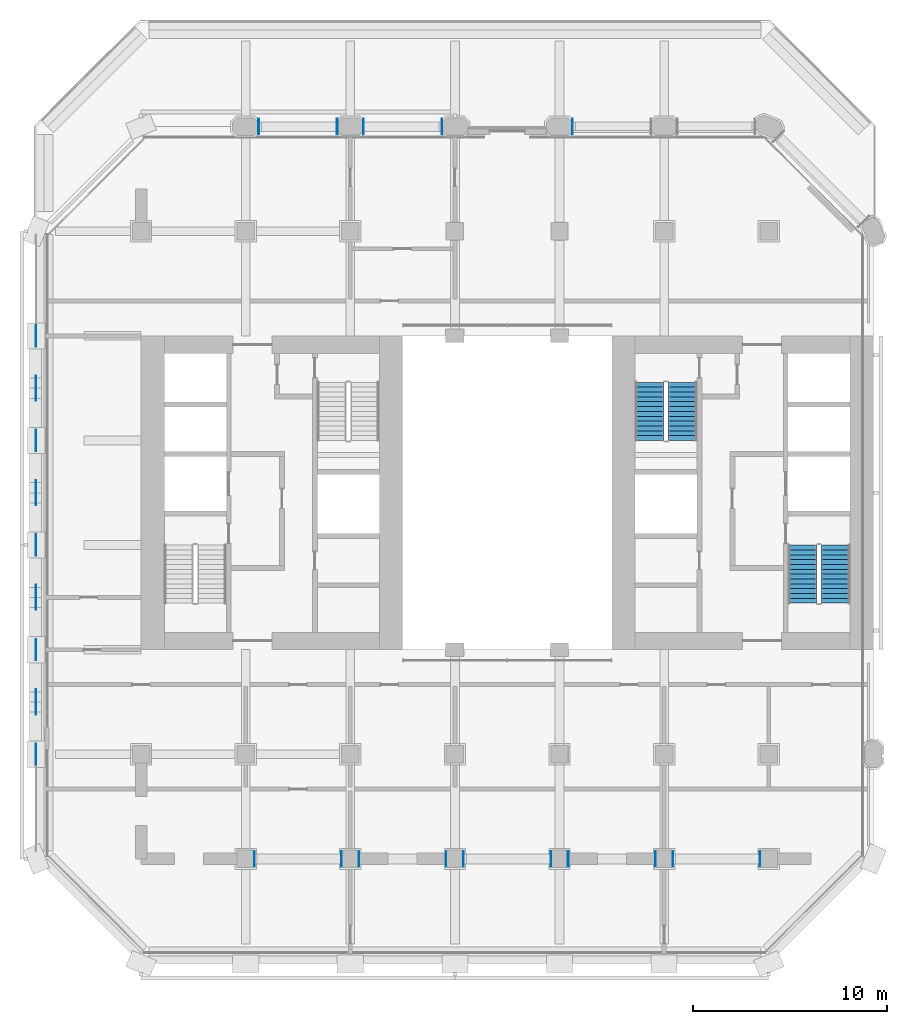
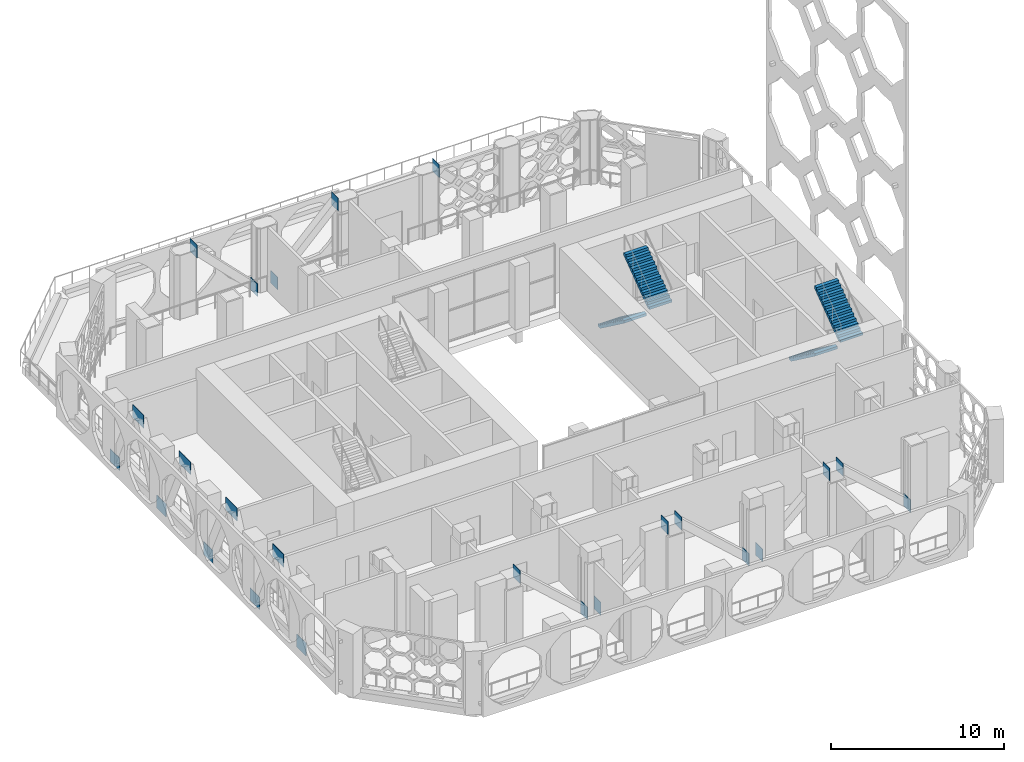
# One storey, part 11 of 17: 24 discrete accessories, 4 stair flights, 2 elements without a shape of their own.
"""IFC4 building model written with IfcOpenShell, lengths in metres."""

from ifc_helpers import new_model, si_unit, direction, frame, origin, origin_2d, place, context, subcontext, project, spatial, polyline, rectangle, outline, extrude, material, layer, layer_set, type_object, element, aggregate, save


model = new_model("IFC4")

# Units and contexts
model_context = context("Model", 3, precision=1e-05, world=origin(), true_north=direction((0.0, 1.0)))
body_context = subcontext(model_context, "Body", "Model", "MODEL_VIEW")
ifc_project = project(units=[si_unit("LENGTHUNIT", "METRE"), si_unit("AREAUNIT", "SQUARE_METRE"), si_unit("VOLUMEUNIT", "CUBIC_METRE"), si_unit("PLANEANGLEUNIT", "RADIAN"), si_unit("MASSUNIT", "GRAM", prefix="KILO")], contexts=[model_context])

# Site, building, storey
site_placement = place(None, origin())
site = spatial("IfcSite", under=ifc_project, at=site_placement, CompositionType="ELEMENT")
building_placement = place(site_placement, origin())
building = spatial("IfcBuilding", under=site, at=building_placement, Name="Tabaq Tower and Sports Hall", CompositionType="ELEMENT")
storey_placement = place(building_placement, frame((0.0, 0.0, 125.800048828125)))
storey = spatial("IfcBuildingStorey", under=building, at=storey_placement, Name="L30", CompositionType="ELEMENT", Elevation=125.800048828125)

# Stair, stair flights
ifc_material_1 = material(Name="Concrete C40/50", Category="concrete")
stair_type = type_object("IfcStairType", Name="Exit stair", PredefinedType="HALF_TURN_STAIR", material=ifc_material_1)
stair_1_placement = place(storey_placement, origin())
stair_1 = element("IfcStair", 1, at=stair_1_placement, inside=storey, type_object=stair_type, Name="L30 Exit stair ST3", PredefinedType="HALF_TURN_STAIR")
ifc_material_2 = material(Name="Concrete C40/50", Category="concrete")
stair_flight_type = type_object("IfcStairFlightType", Name="Exit stair flight", PredefinedType="STRAIGHT", material=ifc_material_2)
stair_flight_1_placement = place(storey_placement, frame((39.550048828125, 21.60009765625, 0.0), z_axis=(0.0, 0.0, 1.0), x_axis=(0.0, -1.0, 0.0)))
stair_flight_1 = element("IfcStairFlight", 2, at=stair_flight_1_placement, type_object=stair_flight_type, Name="ST3 flight 1", NumberOfRisers=13, NumberOfTreads=12, PredefinedType="STRAIGHT", RiserHeight=0.184615385, TreadLength=0.25, context=body_context, shape_type="SweptSolid", body=[
    extrude(outline(polyline([(0.0, 0.0), (0.0, 0.1845703125), (0.25, 0.1845703125), (0.25, 0.369140625), (0.5, 0.369140625), (0.5, 0.553955078125), (0.75, 0.553955078125), (0.75, 0.738525390625), (1.0, 0.738525390625), (1.0, 0.923095703125), (1.25, 0.923095703125), (1.25, 1.107666015625), (1.5, 1.107666015625), (1.5, 1.292236328125), (1.75, 1.292236328125), (1.75, 1.476806640625), (2.0, 1.476806640625), (2.0, 1.66162109375), (2.25, 1.66162109375), (2.25, 1.84619140625), (2.5, 1.84619140625), (2.5, 2.03076171875), (2.75, 2.03076171875), (2.75, 2.21533203125), (3.0, 2.21533203125), (3.0, 2.39990234375), (3.0, 2.029052734375), (0.25244140625, 0.0), (0.0, 0.0)])), frame((0.0, 0.75, 0.0), z_axis=(0.0, -1.0, 0.0), x_axis=(1.0, 0.0, 0.0)), (0.0, 0.0, 1.0), 1.5),
])
stair_flight_2_placement = place(storey_placement, frame((41.25, 18.60009765625, 2.39990234375), z_axis=(0.0, 0.0, 1.0), x_axis=(0.0, 1.0, 0.0)))
stair_flight_2 = element("IfcStairFlight", 3, at=stair_flight_2_placement, type_object=stair_flight_type, Name="ST3 flight 2", NumberOfRisers=13, NumberOfTreads=12, PredefinedType="STRAIGHT", RiserHeight=0.184615385, TreadLength=0.25, context=body_context, shape_type="SweptSolid", body=[
    extrude(outline(polyline([(0.0, 0.0), (0.0, 0.1845703125), (0.25, 0.1845703125), (0.25, 0.369140625), (0.5, 0.369140625), (0.5, 0.553955078125), (0.75, 0.553955078125), (0.75, 0.738525390625), (1.0, 0.738525390625), (1.0, 0.923095703125), (1.25, 0.923095703125), (1.25, 1.107666015625), (1.5, 1.107666015625), (1.5, 1.292236328125), (1.75, 1.292236328125), (1.75, 1.476806640625), (2.0, 1.476806640625), (2.0, 1.66162109375), (2.25, 1.66162109375), (2.25, 1.84619140625), (2.5, 1.84619140625), (2.5, 2.03076171875), (2.75, 2.03076171875), (2.75, 2.21533203125), (3.0, 2.21533203125), (3.0, 2.39990234375), (3.0, 2.029052734375), (0.25244140625, 0.0), (0.0, 0.0)])), frame((0.0, 0.75, 0.0), z_axis=(0.0, -1.0, 0.0), x_axis=(1.0, 0.0, 0.0)), (0.0, 0.0, 1.0), 1.5),
])
aggregate(stair_1, [stair_flight_1, stair_flight_2])

stair_2_placement = place(storey_placement, origin())
stair_2 = element("IfcStair", 4, at=stair_2_placement, inside=storey, type_object=stair_type, Name="L30 Exit stair ST4", PredefinedType="HALF_TURN_STAIR")
stair_flight_3_placement = place(storey_placement, frame((31.64990234375, 30.0, 0.0), z_axis=(0.0, 0.0, 1.0), x_axis=(0.0, -1.0, 0.0)))
stair_flight_3 = element("IfcStairFlight", 5, at=stair_flight_3_placement, type_object=stair_flight_type, Name="ST4 flight 1", NumberOfRisers=13, NumberOfTreads=12, PredefinedType="STRAIGHT", RiserHeight=0.184615385, TreadLength=0.25, context=body_context, shape_type="SweptSolid", body=[
    extrude(outline(polyline([(0.0, 0.0), (0.0, 0.1845703125), (0.25, 0.1845703125), (0.25, 0.369140625), (0.5, 0.369140625), (0.5, 0.553955078125), (0.75, 0.553955078125), (0.75, 0.738525390625), (1.0, 0.738525390625), (1.0, 0.923095703125), (1.25, 0.923095703125), (1.25, 1.107666015625), (1.5, 1.107666015625), (1.5, 1.292236328125), (1.75, 1.292236328125), (1.75, 1.476806640625), (2.0, 1.476806640625), (2.0, 1.66162109375), (2.25, 1.66162109375), (2.25, 1.84619140625), (2.5, 1.84619140625), (2.5, 2.03076171875), (2.75, 2.03076171875), (2.75, 2.21533203125), (3.0, 2.21533203125), (3.0, 2.39990234375), (3.0, 2.029052734375), (0.25244140625, 0.0), (0.0, 0.0)])), frame((0.0, 0.75, 0.0), z_axis=(0.0, -1.0, 0.0), x_axis=(1.0, 0.0, 0.0)), (0.0, 0.0, 1.0), 1.5),
])
stair_flight_4_placement = place(storey_placement, frame((33.35009765625, 27.0, 2.39990234375), z_axis=(0.0, 0.0, 1.0), x_axis=(0.0, 1.0, 0.0)))
stair_flight_4 = element("IfcStairFlight", 6, at=stair_flight_4_placement, type_object=stair_flight_type, Name="ST4 flight 2", NumberOfRisers=13, NumberOfTreads=12, PredefinedType="STRAIGHT", RiserHeight=0.184615385, TreadLength=0.25, context=body_context, shape_type="SweptSolid", body=[
    extrude(outline(polyline([(0.0, 0.0), (0.0, 0.1845703125), (0.25, 0.1845703125), (0.25, 0.369140625), (0.5, 0.369140625), (0.5, 0.553955078125), (0.75, 0.553955078125), (0.75, 0.738525390625), (1.0, 0.738525390625), (1.0, 0.923095703125), (1.25, 0.923095703125), (1.25, 1.107666015625), (1.5, 1.107666015625), (1.5, 1.292236328125), (1.75, 1.292236328125), (1.75, 1.476806640625), (2.0, 1.476806640625), (2.0, 1.66162109375), (2.25, 1.66162109375), (2.25, 1.84619140625), (2.5, 1.84619140625), (2.5, 2.03076171875), (2.75, 2.03076171875), (2.75, 2.21533203125), (3.0, 2.21533203125), (3.0, 2.39990234375), (3.0, 2.029052734375), (0.25244140625, 0.0), (0.0, 0.0)])), frame((0.0, 0.75, 0.0), z_axis=(0.0, -1.0, 0.0), x_axis=(1.0, 0.0, 0.0)), (0.0, 0.0, 1.0), 1.5),
])
aggregate(stair_2, [stair_flight_3, stair_flight_4])

# Discrete accessories
ifc_material_3 = material(Name="Steel S355", Category="steel")
ifc_layer_1 = layer(ifc_material_3, 0.030029296875)
ifc_layer_set_1 = layer_set([ifc_layer_1], Name="BELT TRUSS NODE PLATE 800x900x30 S355")
discrete_accessory_type_1 = type_object("IfcDiscreteAccessoryType", Name="BELT TRUSS NODE PLATE 800x900x30 S355", PredefinedType="ANCHORPLATE", material=ifc_layer_set_1)
for number, where, z_axis, x_axis, name in (
    (7, (27.675048828125, 43.199951171875, 3.8740234375), (0.0, 0.0, 1.0), (-1.0, 0.0, 0.0), "Belt truss node plate L30"),
    (8, (20.925048828125, 43.199951171875, 3.8740234375), (0.0, 0.0, 1.0), (-1.0, 0.0, 0.0), "Belt truss node plate L30"),
    (9, (16.875, 43.199951171875, -0.27392578125), (0.0, 0.0, 1.0), (-1.0, 0.0, 0.0), "Belt truss node plate L30"),
    (10, (15.52490234375, 43.199951171875, -0.27392578125), (0.0, 0.0, 1.0), (-1.0, 0.0, 0.0), "Belt truss node plate L30"),
    (11, (11.47509765625, 43.199951171875, 3.8740234375), (0.0, 0.0, 1.0), (-1.0, 0.0, 0.0), "Belt truss node plate L30"),
    (12, (11.25, 5.39990234375, 3.86474609375), (0.0, 0.0, 1.0), (1.0, 0.0, 0.0), "Belt truss node plate L30"),
    (13, (15.75, 5.39990234375, -0.2646484375), (0.0, 0.0, 1.0), (1.0, 0.0, 0.0), "Belt truss node plate L30"),
    (14, (16.64990234375, 5.39990234375, -0.2646484375), (0.0, 0.0, 1.0), (1.0, 0.0, 0.0), "Belt truss node plate L30"),
    (15, (21.14990234375, 5.39990234375, 3.86474609375), (0.0, 0.0, 1.0), (1.0, 0.0, 0.0), "Belt truss node plate L30"),
    (16, (22.050048828125, 5.39990234375, 3.86474609375), (0.0, 0.0, 1.0), (1.0, 0.0, 0.0), "Belt truss node plate L30"),
    (17, (26.550048828125, 5.39990234375, -0.2646484375), (0.0, 0.0, 1.0), (1.0, 0.0, 0.0), "Belt truss node plate L30"),
    (18, (27.449951171875, 5.39990234375, -0.2646484375), (0.0, 0.0, 1.0), (1.0, 0.0, 0.0), "Belt truss node plate L30"),
    (19, (31.949951171875, 5.39990234375, 3.86474609375), (0.0, 0.0, 1.0), (1.0, 0.0, 0.0), "Belt truss node plate L30"),
    (20, (32.85009765625, 5.39990234375, 3.86474609375), (0.0, 0.0, 1.0), (1.0, 0.0, 0.0), "Belt truss node plate L30"),
    (21, (37.35009765625, 5.39990234375, -0.2646484375), (0.0, 0.0, 1.0), (1.0, 0.0, 0.0), "Belt truss node plate L30"),
):
    element("IfcDiscreteAccessory", number, at=place(storey_placement, frame(where, z_axis=z_axis, x_axis=x_axis)), inside=storey, type_object=discrete_accessory_type_1, Name=name, PredefinedType="ANCHORPLATE", context=body_context, shape_type="SweptSolid", body=[
        extrude(rectangle(XDim=0.030029296875, YDim=0.800048828125, at=origin_2d()), origin(), (0.0, 0.0, 1.0), 0.89990234375),
    ])
ifc_material_4 = material(Name="Steel S355", Category="steel")
ifc_layer_2 = layer(ifc_material_4, 0.030029296875)
ifc_layer_set_2 = layer_set([ifc_layer_2], Name="TRANSFER BAND NODE PLATE 1100x900x30 S355")
discrete_accessory_type_2 = type_object("IfcDiscreteAccessoryType", Name="TRANSFER BAND NODE PLATE 1100x900x30 S355", PredefinedType="ANCHORPLATE", material=ifc_layer_set_2)
for number, where, z_axis, x_axis, name in (
    (22, (-0.014892578125, 10.800048828125, -0.5), (0.0, 0.0, 1.0), (0.0, -1.0, 0.0), "Transfer band node plate L30 West"),
    (23, (-0.014892578125, 16.199951171875, -0.5), (0.0, 0.0, 1.0), (0.0, -1.0, 0.0), "Transfer band node plate L30 West"),
    (24, (-0.014892578125, 21.60009765625, -0.5), (0.0, 0.0, 1.0), (0.0, -1.0, 0.0), "Transfer band node plate L30 West"),
    (25, (-0.014892578125, 27.0, -0.5), (0.0, 0.0, 1.0), (0.0, -1.0, 0.0), "Transfer band node plate L30 West"),
    (26, (-0.014892578125, 32.39990234375, -0.5), (0.0, 0.0, 1.0), (0.0, -1.0, 0.0), "Transfer band node plate L30 West"),
):
    element("IfcDiscreteAccessory", number, at=place(storey_placement, frame(where, z_axis=z_axis, x_axis=x_axis)), inside=storey, type_object=discrete_accessory_type_2, Name=name, PredefinedType="ANCHORPLATE", context=body_context, shape_type="SweptSolid", body=[
        extrude(rectangle(XDim=1.10009765625, YDim=0.030029296875, at=origin_2d()), origin(), (0.0, 0.0, 1.0), 0.89990234375),
    ])
ifc_material_5 = material(Name="Steel S355", Category="steel")
ifc_layer_3 = layer(ifc_material_5, 0.030029296875)
ifc_layer_set_3 = layer_set([ifc_layer_3], Name="TRANSFER BAND NODE PLATE 1300x900x30 S355")
discrete_accessory_type_3 = type_object("IfcDiscreteAccessoryType", Name="TRANSFER BAND NODE PLATE 1300x900x30 S355", PredefinedType="ANCHORPLATE", material=ifc_layer_set_3)
for number, where, z_axis, x_axis, name in (
    (27, (-0.014892578125, 13.5, 4.199951171875), (0.0, 0.0, 1.0), (0.0, -1.0, 0.0), "Transfer band node plate L30 West"),
    (28, (-0.014892578125, 18.89990234375, 4.199951171875), (0.0, 0.0, 1.0), (0.0, -1.0, 0.0), "Transfer band node plate L30 West"),
    (29, (-0.014892578125, 24.300048828125, 4.199951171875), (0.0, 0.0, 1.0), (0.0, -1.0, 0.0), "Transfer band node plate L30 West"),
    (30, (-0.014892578125, 29.699951171875, 4.199951171875), (0.0, 0.0, 1.0), (0.0, -1.0, 0.0), "Transfer band node plate L30 West"),
):
    element("IfcDiscreteAccessory", number, at=place(storey_placement, frame(where, z_axis=z_axis, x_axis=x_axis)), inside=storey, type_object=discrete_accessory_type_3, Name=name, PredefinedType="ANCHORPLATE", context=body_context, shape_type="SweptSolid", body=[
        extrude(rectangle(XDim=1.300048828125, YDim=0.030029296875, at=origin_2d()), origin(), (0.0, 0.0, 1.0), 0.89990234375),
    ])

save(model, "model.ifc")
